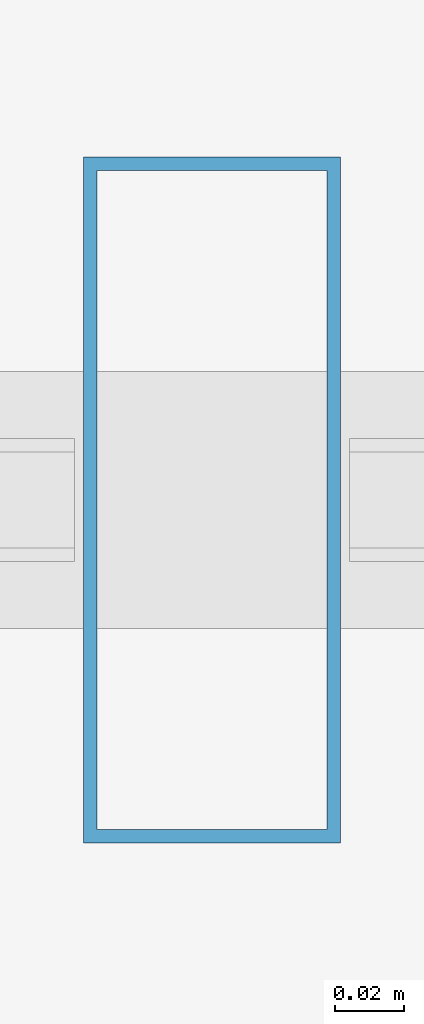
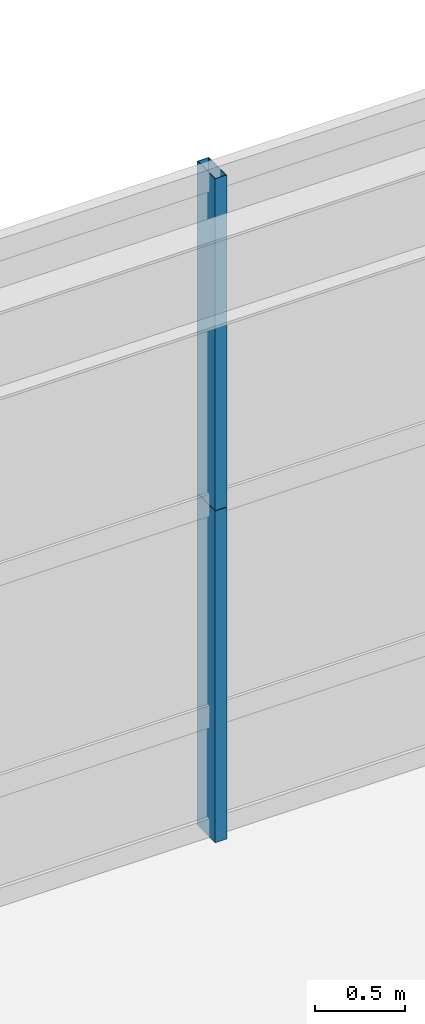
# One storey, part 21 of 39: 2 members, 1 element without a shape of its own.
"""IFC4 building model written with IfcOpenShell, lengths in metres."""

from ifc_helpers import new_model, si_unit, direction, frame, origin, origin_2d, place, context, subcontext, project, spatial, hollow_rectangle, extrude, source, transform, mapped, material, layer, layer_set, material_profile, profile_set, type_object, element, aggregate, save


model = new_model("IFC4")

# Units and contexts
model_context = context("Model", 3, precision=1e-05, world=origin(), true_north=direction((0.0, 1.0)))
body_context = subcontext(model_context, "Body", "Model", "MODEL_VIEW")
ifc_project = project(units=[si_unit("LENGTHUNIT", "METRE"), si_unit("AREAUNIT", "SQUARE_METRE"), si_unit("VOLUMEUNIT", "CUBIC_METRE"), si_unit("PLANEANGLEUNIT", "RADIAN"), si_unit("MASSUNIT", "GRAM", prefix="KILO"), si_unit("THERMODYNAMICTEMPERATUREUNIT", "KELVIN"), si_unit("POWERUNIT", "WATT")], contexts=[model_context])

# Site, building, storey
site_placement = place(None, origin())
site = spatial("IfcSite", under=ifc_project, at=site_placement, CompositionType="ELEMENT")
building_placement = place(site_placement, origin())
building = spatial("IfcBuilding", under=site, at=building_placement, Name="Yuzanri Waterfront Tower", CompositionType="ELEMENT")
storey_placement = place(building_placement, frame((0.0, 0.0, 15.0)))
storey = spatial("IfcBuildingStorey", under=building, at=storey_placement, Name="L04", CompositionType="ELEMENT", Elevation=15.0)

# Curtain wall, members
ifc_material_1 = material(Name="Anodized Architectural Bronze", Category="metal")
ifc_layer = layer(ifc_material_1, 0.159912109375)
ifc_layer_set = layer_set([ifc_layer], Name="Anodized Architectural Bronze")
curtain_wall_type = type_object("IfcCurtainWallType", Name="Anodized Bronze Podium Waterfront Double-Height Unitized Curtain Wall 8400", PredefinedType="NOTDEFINED", material=ifc_layer_set)
curtain_wall_placement = place(storey_placement, origin())
curtain_wall = element("IfcCurtainWall", 1, at=curtain_wall_placement, inside=storey, type_object=curtain_wall_type, Name="L04 Curtain Wall CW-L04-N1", PredefinedType="NOTDEFINED")
ifc_material_2 = material(Name="Anodized Architectural Bronze", Category="metal")
ifc_material_profile = material_profile(ifc_material_2, hollow_rectangle(XDim=0.074951171875, YDim=0.199951171875, WallThickness=0.00390625, at=origin_2d()), Name="CWM 75x200")
ifc_profile_set = profile_set([ifc_material_profile], Name="Anodized Architectural Bronze")
member_type = type_object("IfcMemberType", Name="Anodized Bronze Primary Curtain-Wall Mullion 75x200", PredefinedType="MULLION", material=ifc_profile_set)
shared_shape = source(origin(), body_context, "Body", "SweptSolid", [
    extrude(hollow_rectangle(XDim=0.074951171875, YDim=0.199951171875, WallThickness=0.00390625, at=origin_2d()), origin(), (0.0, 0.0, 1.0), 2.258056640625),
])
member_1_placement = place(storey_placement, frame((26.25, 49.6201171875, 0.0), z_axis=(0.0, 0.0, 1.0), x_axis=(1.0, 0.0, 0.0)))
member_1 = element("IfcMember", 2, at=member_1_placement, type_object=member_type, Name="CW-L04-N1 Lower Mullion 01", PredefinedType="MULLION", context=body_context, shape_type="MappedRepresentation", body=[
    mapped(shared_shape, transform((0.0, 0.0, 0.0), scale=1.0)),
])
member_2_placement = place(storey_placement, frame((26.25, 49.6201171875, 2.261962890625), z_axis=(0.0, 0.0, 1.0), x_axis=(1.0, 0.0, 0.0)))
member_2 = element("IfcMember", 3, at=member_2_placement, type_object=member_type, Name="CW-L04-N1 Upper Mullion 01", PredefinedType="MULLION", context=body_context, shape_type="MappedRepresentation", body=[
    mapped(shared_shape, transform((0.0, 0.0, 0.0), scale=1.0)),
])
aggregate(curtain_wall, [member_1, member_2])

save(model, "model.ifc")
